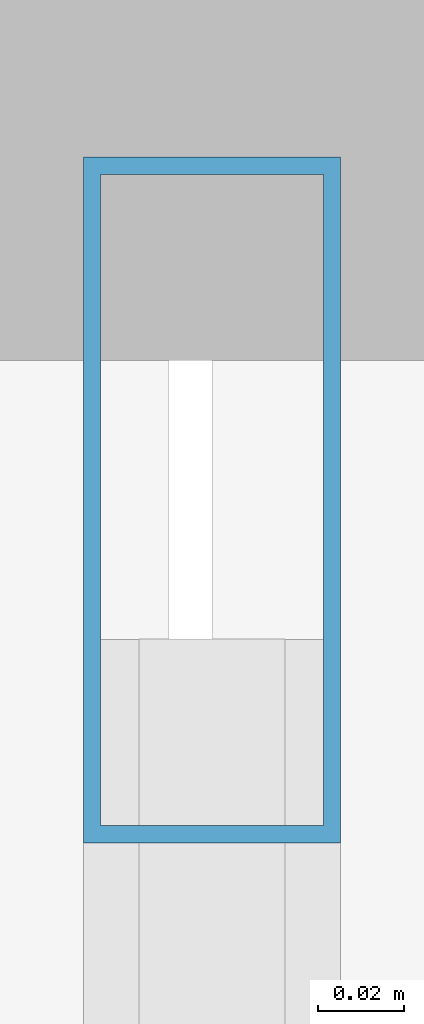
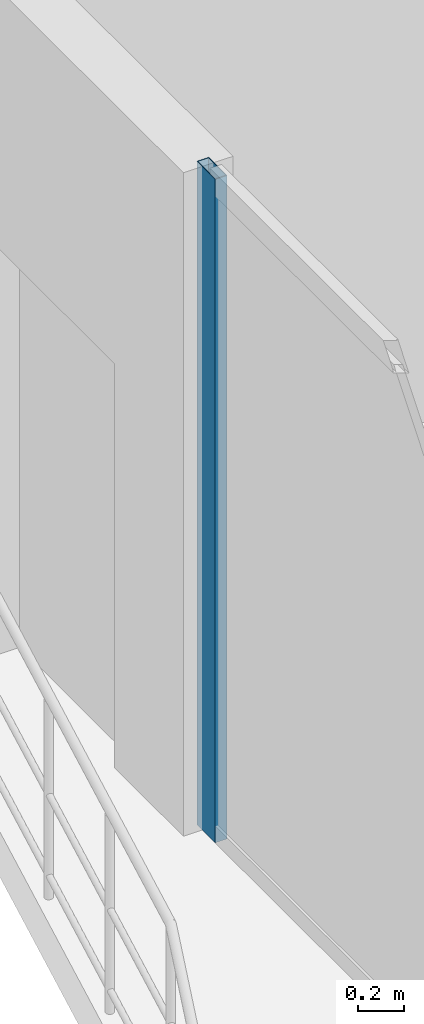
# One storey, part 9 of 17: 1 member, 1 element without a shape of its own.
"""IFC4 building model written with IfcOpenShell, lengths in metres."""

from ifc_helpers import new_model, si_unit, direction, frame, origin, origin_2d, place, context, subcontext, project, spatial, hollow_rectangle, extrude, material, layer, layer_set, material_profile, profile_set, type_object, element, aggregate, save


model = new_model("IFC4")

# Units and contexts
model_context = context("Model", 3, precision=1e-05, world=origin(), true_north=direction((0.0, 1.0)))
body_context = subcontext(model_context, "Body", "Model", "MODEL_VIEW")
ifc_project = project(units=[si_unit("LENGTHUNIT", "METRE"), si_unit("AREAUNIT", "SQUARE_METRE"), si_unit("VOLUMEUNIT", "CUBIC_METRE"), si_unit("PLANEANGLEUNIT", "RADIAN"), si_unit("MASSUNIT", "GRAM", prefix="KILO")], contexts=[model_context])

# Site, building, storey
site_placement = place(None, origin())
site = spatial("IfcSite", under=ifc_project, at=site_placement, CompositionType="ELEMENT")
building_placement = place(site_placement, origin())
building = spatial("IfcBuilding", under=site, at=building_placement, Name="Catumbela Crestline Tower", CompositionType="ELEMENT")
storey_placement = place(building_placement, frame((0.0, 0.0, 271.6)))
storey = spatial("IfcBuildingStorey", under=building, at=storey_placement, Name="L70", CompositionType="ELEMENT", Elevation=271.6)

# Curtain wall, member
ifc_material = material(Name="Aluminium alloy AW-6060-T66", Category="aluminium")
ifc_layer = layer(ifc_material, 0.18, Name="Aluminium alloy AW-6060-T66")
ifc_layer_set = layer_set([ifc_layer], Name="Aluminium alloy AW-6060-T66")
curtain_wall_type = type_object("IfcCurtainWallType", Name="CWU-Z4", PredefinedType="USERDEFINED", material=ifc_layer_set)
curtain_wall_placement = place(storey_placement, origin())
curtain_wall = element("IfcCurtainWall", 1, at=curtain_wall_placement, inside=storey, type_object=curtain_wall_type, Name="L70 Unitised Curtain Wall CW-L70-E9S2", ObjectType="UNITISED", PredefinedType="USERDEFINED")
ifc_material_profile = material_profile(ifc_material, hollow_rectangle(XDim=0.06, YDim=0.16, WallThickness=0.004, at=origin_2d()), Name="ALU 160x60x4")
ifc_profile_set = profile_set([ifc_material_profile], Name="Aluminium alloy AW-6060-T66")
member_type = type_object("IfcMemberType", Name="MUL-160X60", PredefinedType="MULLION", material=ifc_profile_set)
member_placement = place(storey_placement, frame((9.2, 33.6675, 0.0), z_axis=(0.0, 0.0, 1.0), x_axis=(1.0, 0.0, 0.0)))
member = element("IfcMember", 2, at=member_placement, type_object=member_type, Name="CWU-Z4 mullion 1", PredefinedType="MULLION", context=body_context, shape_type="SweptSolid", body=[
    extrude(hollow_rectangle(XDim=0.06, YDim=0.16, WallThickness=0.004, at=origin_2d()), origin(), (0.0, 0.0, 1.0), 3.53),
])
aggregate(curtain_wall, [member])

save(model, "model.ifc")
